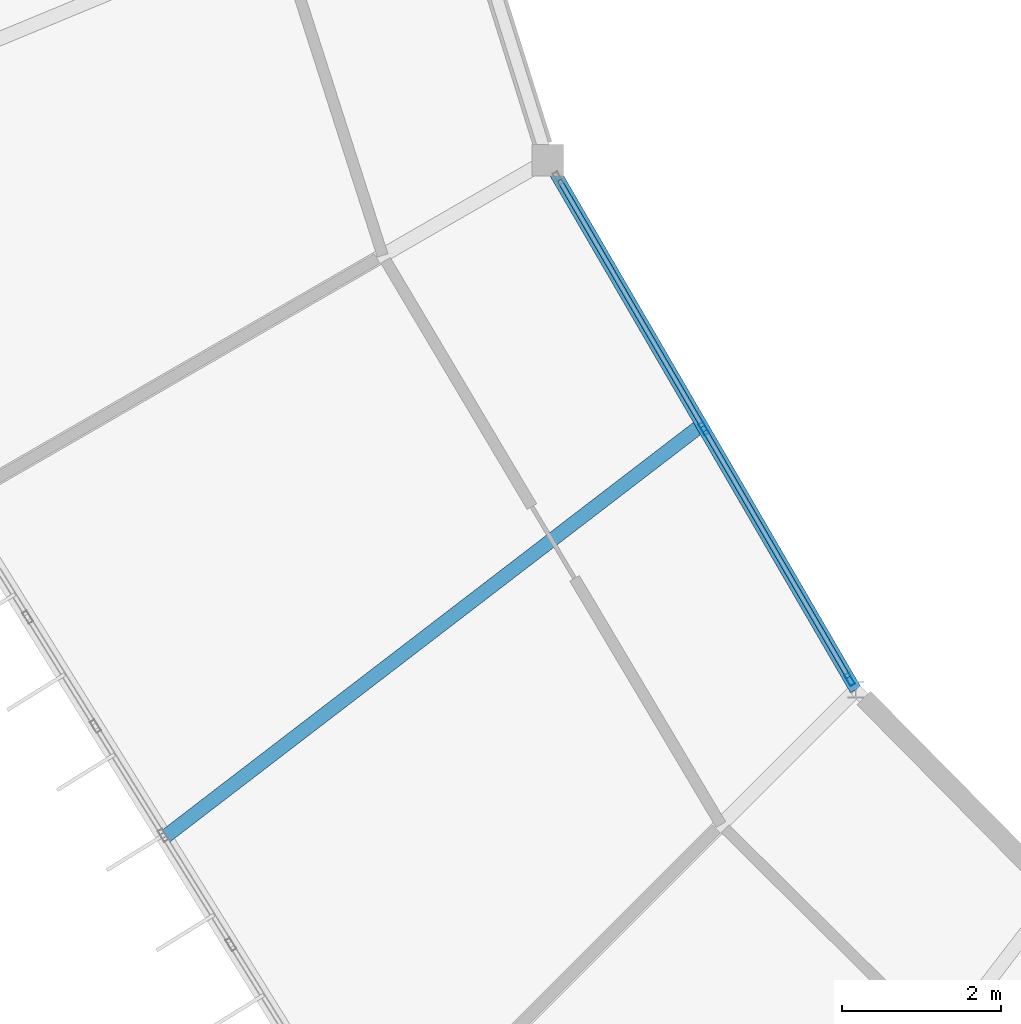
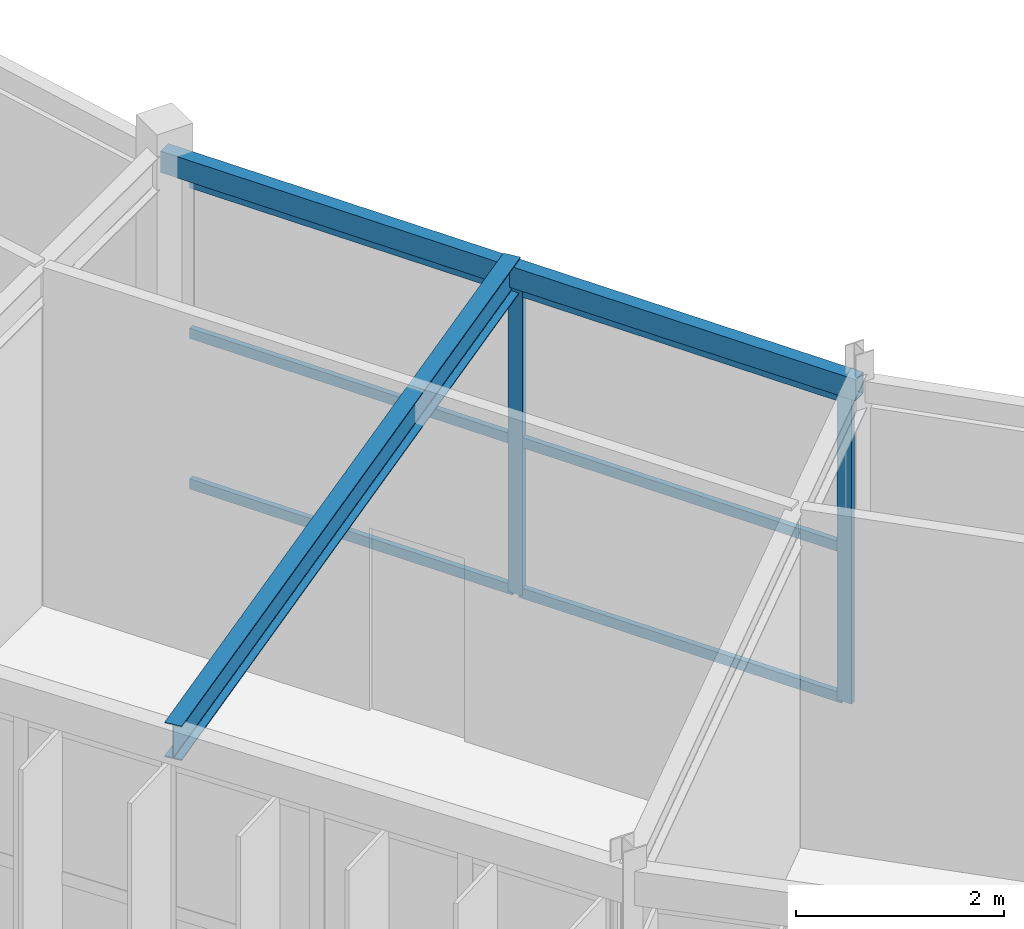
# One storey, part 26 of 134: 8 members, 2 beams, 1 element without a shape of its own.
"""IFC4 building model written with IfcOpenShell, lengths in metres."""

from ifc_helpers import new_model, si_unit, direction, frame, origin, origin_2d, place, context, subcontext, project, spatial, hollow_rectangle, i_section, extrude, material, material_profile, profile_set, type_object, element, aggregate, save


model = new_model("IFC4")

# Units and contexts
model_context = context("Model", 3, precision=1e-05, world=origin(), true_north=direction((0.0, 1.0)))
body_context = subcontext(model_context, "Body", "Model", "MODEL_VIEW")
ifc_project = project(units=[si_unit("LENGTHUNIT", "METRE"), si_unit("AREAUNIT", "SQUARE_METRE"), si_unit("VOLUMEUNIT", "CUBIC_METRE"), si_unit("PLANEANGLEUNIT", "RADIAN"), si_unit("MASSUNIT", "GRAM", prefix="KILO")], contexts=[model_context])

# Site, building, storey
site_placement = place(None, origin())
site = spatial("IfcSite", under=ifc_project, at=site_placement, CompositionType="ELEMENT")
building_placement = place(site_placement, origin())
building = spatial("IfcBuilding", under=site, at=building_placement, Name="Karori Crest Natural Sciences Institute", CompositionType="ELEMENT")
storey_placement = place(building_placement, frame((0.0, 0.0, 21.699951171875)))
storey = spatial("IfcBuildingStorey", under=building, at=storey_placement, Name="L05", CompositionType="ELEMENT", Elevation=21.699951171875)

# Beams
ifc_material_1 = material(Name="Structural steel AS/NZS 3679.1 Grade 350", Category="steel")
ifc_material_profile_1 = material_profile(ifc_material_1, i_section(OverallWidth=0.177978515625, OverallDepth=0.406005859375, WebThickness=0.0078125, FlangeThickness=0.0126953125, FilletRadius=0.010986328125, at=origin_2d()), Name="410UB59.7")
ifc_profile_set_1 = profile_set([ifc_material_profile_1], Name="Structural steel AS/NZS 3679.1 Grade 350")
beam_type_1 = type_object("IfcBeamType", Name="BT-07", PredefinedType="BEAM", material=ifc_profile_set_1)
beam_1_placement = place(storey_placement, frame((47.207763671875, 30.465576171875, 3.739990234375), z_axis=(-0.793344059053, -0.608773524363, 0.0), x_axis=(0.608773524363, -0.793344059053, 0.0)))
element("IfcBeam", 1, at=beam_1_placement, inside=storey, type_object=beam_type_1, Name="Beam B-2895", PredefinedType="BEAM", context=body_context, shape_type="SweptSolid", body=[
    extrude(i_section(OverallWidth=0.177978515625, OverallDepth=0.406005859375, WebThickness=0.0078125, FlangeThickness=0.0126953125, FilletRadius=0.010986328125, at=origin_2d()), origin(), (0.0, 0.0, 1.0), 8.5263671875),
])
ifc_material_2 = material(Name="Hollow structural steel AS/NZS 1163 Grade C350", Category="steel")
ifc_material_profile_2 = material_profile(ifc_material_2, hollow_rectangle(XDim=0.14990234375, YDim=0.25, WallThickness=0.009033203125, at=origin_2d()), Name="RHS250x150x9")
ifc_profile_set_2 = profile_set([ifc_material_profile_2], Name="Hollow structural steel AS/NZS 1163 Grade C350")
beam_type_2 = type_object("IfcBeamType", Name="BT-16", PredefinedType="SPANDREL", material=ifc_profile_set_2)
beam_2_placement = place(storey_placement, frame((45.26904296875, 33.800048828125, 3.739990234375), z_axis=(0.502634759064, -0.86449887159, 0.0), x_axis=(0.86449887159, 0.502634759064, 0.0)))
element("IfcBeam", 2, at=beam_2_placement, inside=storey, type_object=beam_type_2, Name="Beam B-0687", PredefinedType="SPANDREL", context=body_context, shape_type="SweptSolid", body=[
    extrude(hollow_rectangle(XDim=0.14990234375, YDim=0.25, WallThickness=0.009033203125, at=origin_2d()), origin(), (0.0, 0.0, 1.0), 7.714111328125),
])

# Curtain wall, members
ifc_material_3 = material(Name="Anodised architectural aluminium 6063-T6", Category="aluminium")
curtain_wall_type = type_object("IfcCurtainWallType", Name="CWT-15", PredefinedType="NOTDEFINED", material=ifc_material_3)
curtain_wall_placement = place(storey_placement, origin())
curtain_wall = element("IfcCurtainWall", 3, at=curtain_wall_placement, inside=storey, type_object=curtain_wall_type, Name="Curtain wall CW-0194", PredefinedType="NOTDEFINED")
ifc_material_profile_3 = material_profile(ifc_material_3, hollow_rectangle(XDim=0.06494140625, YDim=0.159912109375, WallThickness=0.00390625, at=origin_2d()), Name="CWM160x65x4")
ifc_profile_set_3 = profile_set([ifc_material_profile_3], Name="Anodised architectural aluminium 6063-T6")
member_type_1 = type_object("IfcMemberType", Name="CWM-01", PredefinedType="MULLION", material=ifc_profile_set_3)
member_1_placement = place(storey_placement, frame((47.2353515625, 30.418212890625, 0.0), z_axis=(0.0, 0.0, 1.0), x_axis=(0.864487154971, 0.502654910341, 0.0)))
member_1 = element("IfcMember", 4, at=member_1_placement, type_object=member_type_1, Name="CW-0194 mullion 2", PredefinedType="MULLION", context=body_context, shape_type="SweptSolid", body=[
    extrude(hollow_rectangle(XDim=0.06494140625, YDim=0.159912109375, WallThickness=0.00390625, at=origin_2d()), origin(), (0.0, 0.0, 1.0), 3.60009765625),
])
member_2_placement = place(storey_placement, frame((49.070068359375, 27.2626953125, 0.0), z_axis=(0.0, 0.0, 1.0), x_axis=(0.864487154971, 0.502654910341, 0.0)))
member_2 = element("IfcMember", 5, at=member_2_placement, type_object=member_type_1, Name="CW-0194 mullion 3", PredefinedType="MULLION", context=body_context, shape_type="SweptSolid", body=[
    extrude(hollow_rectangle(XDim=0.06494140625, YDim=0.159912109375, WallThickness=0.00390625, at=origin_2d()), origin(), (0.0, 0.0, 1.0), 3.60009765625),
])
ifc_material_profile_4 = material_profile(ifc_material_3, hollow_rectangle(XDim=0.06005859375, YDim=0.1201171875, WallThickness=0.00390625, at=origin_2d()), Name="CWT120x60x4")
ifc_profile_set_4 = profile_set([ifc_material_profile_4], Name="Anodised architectural aluminium 6063-T6")
member_type_2 = type_object("IfcMemberType", Name="CWT-TR1", PredefinedType="USERDEFINED", material=ifc_profile_set_4)
member_3_placement = place(storey_placement, frame((45.4169921875, 33.54541015625, 0.030029296875), z_axis=(0.502659517686, -0.86448447602, 0.0), x_axis=(0.86448447602, 0.502659517686, 0.0)))
member_3 = element("IfcMember", 6, at=member_3_placement, type_object=member_type_2, Name="CW-0194 transom 1.1", ObjectType="TRANSOM", PredefinedType="USERDEFINED", context=body_context, shape_type="SweptSolid", body=[
    extrude(hollow_rectangle(XDim=0.06005859375, YDim=0.1201171875, WallThickness=0.00390625, at=origin_2d()), origin(), (0.0, 0.0, 1.0), 3.5849609375),
])
member_4_placement = place(storey_placement, frame((45.4169921875, 33.54541015625, 1.800048828125), z_axis=(0.502659517686, -0.86448447602, 0.0), x_axis=(0.86448447602, 0.502659517686, 0.0)))
member_4 = element("IfcMember", 7, at=member_4_placement, type_object=member_type_2, Name="CW-0194 transom 1.2", ObjectType="TRANSOM", PredefinedType="USERDEFINED", context=body_context, shape_type="SweptSolid", body=[
    extrude(hollow_rectangle(XDim=0.06005859375, YDim=0.1201171875, WallThickness=0.00390625, at=origin_2d()), origin(), (0.0, 0.0, 1.0), 3.5849609375),
])
member_5_placement = place(storey_placement, frame((45.4169921875, 33.54541015625, 3.570068359375), z_axis=(0.502659517686, -0.86448447602, 0.0), x_axis=(0.86448447602, 0.502659517686, 0.0)))
member_5 = element("IfcMember", 8, at=member_5_placement, type_object=member_type_2, Name="CW-0194 transom 1.3", ObjectType="TRANSOM", PredefinedType="USERDEFINED", context=body_context, shape_type="SweptSolid", body=[
    extrude(hollow_rectangle(XDim=0.06005859375, YDim=0.1201171875, WallThickness=0.00390625, at=origin_2d()), origin(), (0.0, 0.0, 1.0), 3.5849609375),
])
member_6_placement = place(storey_placement, frame((47.251708984375, 30.389892578125, 0.030029296875), z_axis=(0.502659517686, -0.86448447602, 0.0), x_axis=(0.86448447602, 0.502659517686, 0.0)))
member_6 = element("IfcMember", 9, at=member_6_placement, type_object=member_type_2, Name="CW-0194 transom 2.1", ObjectType="TRANSOM", PredefinedType="USERDEFINED", context=body_context, shape_type="SweptSolid", body=[
    extrude(hollow_rectangle(XDim=0.06005859375, YDim=0.1201171875, WallThickness=0.00390625, at=origin_2d()), origin(), (0.0, 0.0, 1.0), 3.5849609375),
])
member_7_placement = place(storey_placement, frame((47.251708984375, 30.389892578125, 1.800048828125), z_axis=(0.502659517686, -0.86448447602, 0.0), x_axis=(0.86448447602, 0.502659517686, 0.0)))
member_7 = element("IfcMember", 10, at=member_7_placement, type_object=member_type_2, Name="CW-0194 transom 2.2", ObjectType="TRANSOM", PredefinedType="USERDEFINED", context=body_context, shape_type="SweptSolid", body=[
    extrude(hollow_rectangle(XDim=0.06005859375, YDim=0.1201171875, WallThickness=0.00390625, at=origin_2d()), origin(), (0.0, 0.0, 1.0), 3.5849609375),
])
member_8_placement = place(storey_placement, frame((47.251708984375, 30.389892578125, 3.570068359375), z_axis=(0.502659517686, -0.86448447602, 0.0), x_axis=(0.86448447602, 0.502659517686, 0.0)))
member_8 = element("IfcMember", 11, at=member_8_placement, type_object=member_type_2, Name="CW-0194 transom 2.3", ObjectType="TRANSOM", PredefinedType="USERDEFINED", context=body_context, shape_type="SweptSolid", body=[
    extrude(hollow_rectangle(XDim=0.06005859375, YDim=0.1201171875, WallThickness=0.00390625, at=origin_2d()), origin(), (0.0, 0.0, 1.0), 3.5849609375),
])
aggregate(curtain_wall, [member_1, member_2, member_3, member_4, member_5, member_6, member_7, member_8])

save(model, "model.ifc")
